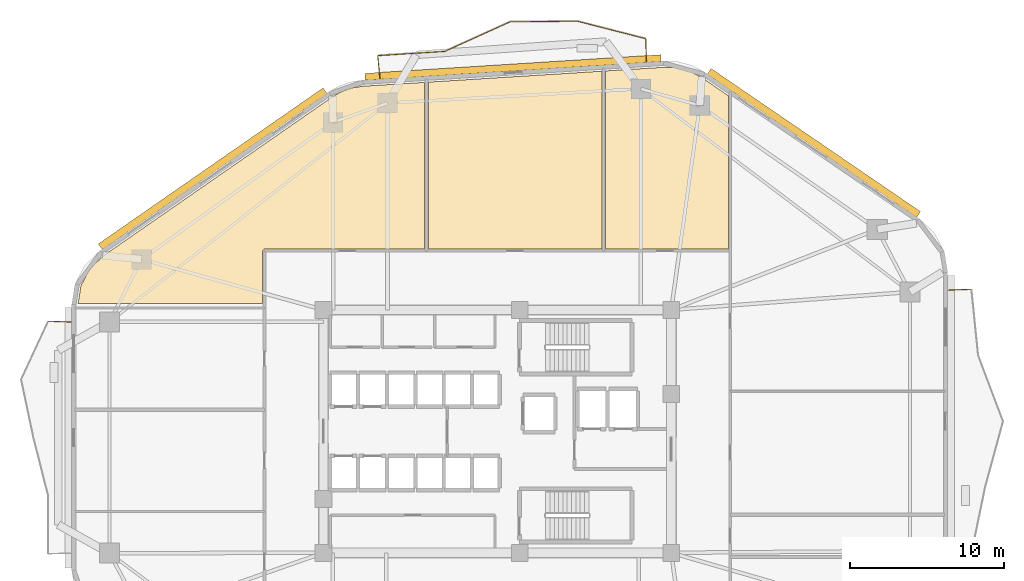
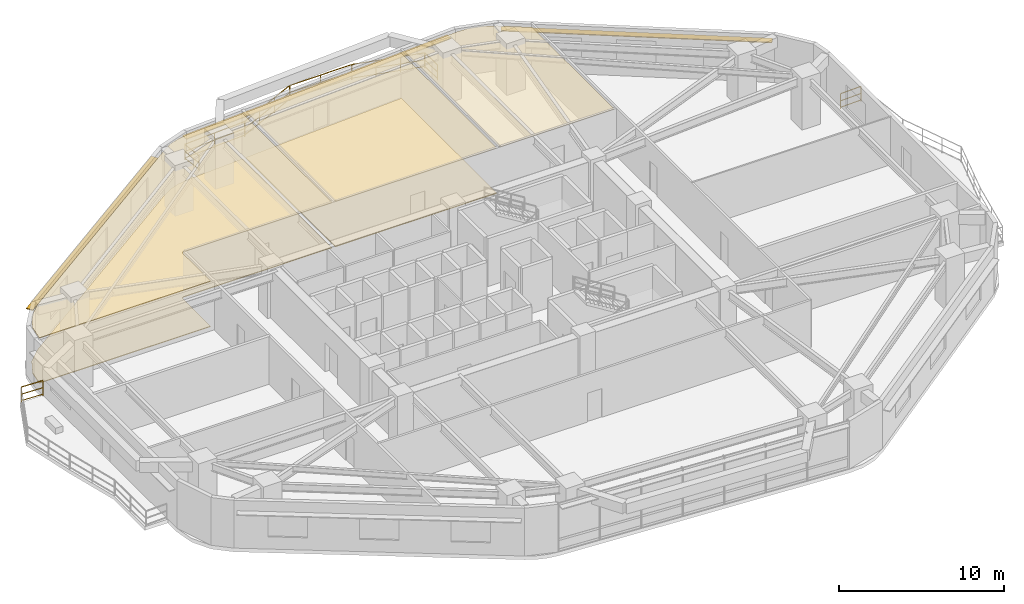
# One storey, part 13 of 13: 8 railings, 5 coverings, 3 shading devices.
"""IFC4 building model written with IfcOpenShell, lengths in metres."""

from ifc_helpers import new_model, si_unit, direction, frame, origin, origin_2d, place, context, subcontext, project, spatial, polyline, rectangle, outline, extrude, material, layer, layer_set, type_object, element, save


model = new_model("IFC4")

# Units and contexts
model_context = context("Model", 3, precision=1e-05, world=origin(), true_north=direction((0.0, 1.0)))
body_context = subcontext(model_context, "Body", "Model", "MODEL_VIEW")
ifc_project = project(units=[si_unit("LENGTHUNIT", "METRE"), si_unit("AREAUNIT", "SQUARE_METRE"), si_unit("VOLUMEUNIT", "CUBIC_METRE"), si_unit("PLANEANGLEUNIT", "RADIAN"), si_unit("MASSUNIT", "GRAM", prefix="KILO")], contexts=[model_context])

# Site, building, storey
site_placement = place(None, origin())
site = spatial("IfcSite", under=ifc_project, at=site_placement, CompositionType="ELEMENT")
building_placement = place(site_placement, origin())
building = spatial("IfcBuilding", under=site, at=building_placement, Name="Zulverin Broadcast Headquarters", CompositionType="ELEMENT")
storey_placement = place(building_placement, frame((0.0, 0.0, 47.800048828125)))
storey = spatial("IfcBuildingStorey", under=building, at=storey_placement, Name="L11", CompositionType="ELEMENT", Elevation=47.800048828125)

# Coverings
ifc_material_1 = material(Name="Perforated pale-metal acoustic baffle ceiling", Category="aluminium")
ifc_layer_1 = layer(ifc_material_1, 0.0400390625, Name="Perforated pale-metal acoustic baffle ceiling", Category="aluminium")
ifc_layer_set_1 = layer_set([ifc_layer_1], Name="Perforated pale-metal acoustic baffle ceiling")
covering_type_1 = type_object("IfcCoveringType", Name="COV-CEIL-ACOU", PredefinedType="CEILING", material=ifc_layer_set_1)
covering_1_placement = place(storey_placement, frame((0.0, 0.0, 3.344970703125)))
element("IfcCovering", 1, at=covering_1_placement, inside=storey, type_object=covering_type_1, Name="L11 Acoustic Baffle Ceiling 01", PredefinedType="CEILING", context=body_context, shape_type="SweptSolid", body=[
    extrude(outline(polyline([(11.4599609375, 36.587890625), (10.56005859375, 35.719970703125), (10.0, 34.64404296875), (9.81591796875, 33.5), (21.780029296875, 33.5), (21.780029296875, 36.867919921875), (21.780029296875, 36.8798828125), (21.783935546875, 36.89208984375), (21.783935546875, 36.89990234375), (21.7880859375, 36.912109375), (21.7919921875, 36.919921875), (21.7958984375, 36.927978515625), (21.800048828125, 36.93603515625), (21.80810546875, 36.947998046875), (21.81591796875, 36.9599609375), (21.823974609375, 36.968017578125), (21.83203125, 36.97607421875), (21.840087890625, 36.98388671875), (21.85205078125, 36.991943359375), (21.864013671875, 37.0), (21.8798828125, 37.008056640625), (21.887939453125, 37.011962890625), (21.89990234375, 37.01611328125), (21.907958984375, 37.01611328125), (21.919921875, 37.02001953125), (21.931884765625, 37.02001953125), (32.280029296875, 37.02001953125), (32.280029296875, 47.827880859375), (28.27587890625, 47.575927734375), (27.580078125, 47.468017578125), (26.927978515625, 47.243896484375), (26.31591796875, 46.89599609375), (11.4599609375, 36.587890625)])), origin(), (0.0, 0.0, 1.0), 0.0400390625),
])
covering_2_placement = place(storey_placement, frame((0.0, 0.0, 3.344970703125)))
element("IfcCovering", 2, at=covering_2_placement, inside=storey, type_object=covering_type_1, Name="L11 Acoustic Baffle Ceiling 02", PredefinedType="CEILING", context=body_context, shape_type="SweptSolid", body=[
    extrude(outline(polyline([(43.780029296875, 37.02001953125), (43.780029296875, 48.552001953125), (32.52001953125, 47.843994140625), (32.52001953125, 37.02001953125), (43.780029296875, 37.02001953125)])), origin(), (0.0, 0.0, 1.0), 0.0400390625),
])
covering_3_placement = place(storey_placement, frame((0.0, 0.0, 3.344970703125)))
element("IfcCovering", 3, at=covering_3_placement, inside=storey, type_object=covering_type_1, Name="L11 Acoustic Baffle Ceiling 03", PredefinedType="CEILING", context=body_context, shape_type="SweptSolid", body=[
    extrude(outline(polyline([(51.97998046875, 37.02001953125), (51.97998046875, 46.9599609375), (50.248046875, 48.139892578125), (49.491943359375, 48.548095703125), (48.68408203125, 48.76806640625), (47.823974609375, 48.80810546875), (44.02001953125, 48.568115234375), (44.02001953125, 37.02001953125), (51.97998046875, 37.02001953125)])), origin(), (0.0, 0.0, 1.0), 0.0400390625),
])
ifc_material_2 = material(Name="Anti-static broadcast raised access flooring", Category="stone")
ifc_layer_2 = layer(ifc_material_2, 0.050048828125, Name="Anti-static broadcast raised access flooring", Category="stone")
ifc_layer_set_2 = layer_set([ifc_layer_2], Name="Anti-static broadcast raised access flooring")
covering_type_2 = type_object("IfcCoveringType", Name="COV-FLR-RAISED", PredefinedType="FLOORING", material=ifc_layer_set_2)
covering_4_placement = place(storey_placement, origin())
element("IfcCovering", 4, at=covering_4_placement, inside=storey, type_object=covering_type_2, Name="L11 Broadcast Raised Access Flooring 01", PredefinedType="FLOORING", context=body_context, shape_type="SweptSolid", body=[
    extrude(outline(polyline([(11.4599609375, 36.587890625), (10.56005859375, 35.719970703125), (10.0, 34.64404296875), (9.81591796875, 33.5), (21.780029296875, 33.5), (21.780029296875, 36.867919921875), (21.780029296875, 36.8798828125), (21.783935546875, 36.89208984375), (21.783935546875, 36.89990234375), (21.7880859375, 36.912109375), (21.7919921875, 36.919921875), (21.7958984375, 36.927978515625), (21.800048828125, 36.93603515625), (21.80810546875, 36.947998046875), (21.81591796875, 36.9599609375), (21.823974609375, 36.968017578125), (21.83203125, 36.97607421875), (21.840087890625, 36.98388671875), (21.85205078125, 36.991943359375), (21.864013671875, 37.0), (21.8798828125, 37.008056640625), (21.887939453125, 37.011962890625), (21.89990234375, 37.01611328125), (21.907958984375, 37.01611328125), (21.919921875, 37.02001953125), (21.931884765625, 37.02001953125), (32.280029296875, 37.02001953125), (32.280029296875, 47.827880859375), (28.27587890625, 47.575927734375), (27.580078125, 47.468017578125), (26.927978515625, 47.243896484375), (26.31591796875, 46.89599609375), (11.4599609375, 36.587890625)])), origin(), (0.0, 0.0, 1.0), 0.050048828125),
])
covering_5_placement = place(storey_placement, origin())
element("IfcCovering", 5, at=covering_5_placement, inside=storey, type_object=covering_type_2, Name="L11 Broadcast Raised Access Flooring 02", PredefinedType="FLOORING", context=body_context, shape_type="SweptSolid", body=[
    extrude(outline(polyline([(43.780029296875, 37.02001953125), (43.780029296875, 48.552001953125), (32.52001953125, 47.843994140625), (32.52001953125, 37.02001953125), (43.780029296875, 37.02001953125)])), origin(), (0.0, 0.0, 1.0), 0.050048828125),
])

# Railings
ifc_material_3 = material(Name="Brushed stainless steel & laminated glass balustrade", Category="steel")
railing_type = type_object("IfcRailingType", Name="RL-GUARD-1150", PredefinedType="GUARDRAIL", material=ifc_material_3)
railing_1_placement = place(storey_placement, frame((67.705078125, 34.413818359375, 0.0)))
element("IfcRailing", 6, at=railing_1_placement, inside=storey, type_object=railing_type, Name="L11 Vertical-Forest Balcony Guardrail BAL_E Segment 06", PredefinedType="GUARDRAIL", context=body_context, shape_type="SweptSolid", body=[
    extrude(rectangle(XDim=0.048095703125, YDim=0.048095703125, at=origin_2d()), frame((0.0, 0.0, 1.1259765625), z_axis=(-0.999181155166, -0.040460093435, 0.0), x_axis=(0.040460093435, -0.999181155166, 0.0)), (0.0, 0.0, 1.0), 1.46630859375),
    extrude(rectangle(XDim=0.0419921875, YDim=0.0419921875, at=origin_2d()), frame((0.0, 0.0, 0.597900390625), z_axis=(-0.999181155166, -0.040460093435, 0.0), x_axis=(0.040460093435, -0.999181155166, 0.0)), (0.0, 0.0, 1.0), 1.46630859375),
    extrude(rectangle(XDim=0.0419921875, YDim=0.0419921875, at=origin_2d()), frame((0.0, 0.0, 0.1201171875), z_axis=(-0.999181155166, -0.040460093435, 0.0), x_axis=(0.040460093435, -0.999181155166, 0.0)), (0.0, 0.0, 1.0), 1.46630859375),
    extrude(rectangle(XDim=0.0419921875, YDim=0.0419921875, at=origin_2d()), origin(), (0.0, 0.0, 1.0), 1.101806640625),
    extrude(rectangle(XDim=0.0419921875, YDim=0.0419921875, at=origin_2d()), frame((-1.465087890625, -0.059326171875, 0.0)), (0.0, 0.0, 1.0), 1.101806640625),
])
railing_2_placement = place(storey_placement, frame((46.662841796875, 49.176025390625, 0.0)))
element("IfcRailing", 7, at=railing_2_placement, inside=storey, type_object=railing_type, Name="L11 Vertical-Forest Balcony Guardrail BAL_N Segment 01", PredefinedType="GUARDRAIL", context=body_context, shape_type="SweptSolid", body=[
    extrude(rectangle(XDim=0.048095703125, YDim=0.048095703125, at=origin_2d()), frame((0.0, 0.0, 1.1259765625), z_axis=(-0.022479328211, 0.999747307975, 0.0), x_axis=(-0.999747307975, -0.022479328211, 0.0)), (0.0, 0.0, 1.0), 1.46630859375),
    extrude(rectangle(XDim=0.0419921875, YDim=0.0419921875, at=origin_2d()), frame((0.0, 0.0, 0.597900390625), z_axis=(-0.022479328211, 0.999747307975, 0.0), x_axis=(-0.999747307975, -0.022479328211, 0.0)), (0.0, 0.0, 1.0), 1.46630859375),
    extrude(rectangle(XDim=0.0419921875, YDim=0.0419921875, at=origin_2d()), frame((0.0, 0.0, 0.1201171875), z_axis=(-0.022479328211, 0.999747307975, 0.0), x_axis=(-0.999747307975, -0.022479328211, 0.0)), (0.0, 0.0, 1.0), 1.46630859375),
    extrude(rectangle(XDim=0.0419921875, YDim=0.0419921875, at=origin_2d()), origin(), (0.0, 0.0, 1.0), 1.101806640625),
    extrude(rectangle(XDim=0.0419921875, YDim=0.0419921875, at=origin_2d()), frame((-0.032958984375, 1.4658203125, 0.0)), (0.0, 0.0, 1.0), 1.101806640625),
])
railing_3_placement = place(storey_placement, frame((46.614990234375, 50.66064453125, 0.0)))
element("IfcRailing", 8, at=railing_3_placement, inside=storey, type_object=railing_type, Name="L11 Vertical-Forest Balcony Guardrail BAL_N Segment 02", PredefinedType="GUARDRAIL", context=body_context, shape_type="SweptSolid", body=[
    extrude(rectangle(XDim=0.048095703125, YDim=0.048095703125, at=origin_2d()), frame((0.0, 0.0, 1.1259765625), z_axis=(-0.968834750969, 0.247707943583, 0.0), x_axis=(-0.247707943583, -0.968834750969, 0.0)), (0.0, 0.0, 1.0), 4.550537109375),
    extrude(rectangle(XDim=0.0419921875, YDim=0.0419921875, at=origin_2d()), frame((0.0, 0.0, 0.597900390625), z_axis=(-0.968834750969, 0.247707943583, 0.0), x_axis=(-0.247707943583, -0.968834750969, 0.0)), (0.0, 0.0, 1.0), 4.550537109375),
    extrude(rectangle(XDim=0.0419921875, YDim=0.0419921875, at=origin_2d()), frame((0.0, 0.0, 0.1201171875), z_axis=(-0.968834750969, 0.247707943583, 0.0), x_axis=(-0.247707943583, -0.968834750969, 0.0)), (0.0, 0.0, 1.0), 4.550537109375),
    extrude(rectangle(XDim=0.0419921875, YDim=0.0419921875, at=origin_2d()), origin(), (0.0, 0.0, 1.0), 1.101806640625),
    extrude(rectangle(XDim=0.0419921875, YDim=0.0419921875, at=origin_2d()), frame((-1.469482421875, 0.375732421875, 0.0)), (0.0, 0.0, 1.0), 1.101806640625),
    extrude(rectangle(XDim=0.0419921875, YDim=0.0419921875, at=origin_2d()), frame((-2.939208984375, 0.75146484375, 0.0)), (0.0, 0.0, 1.0), 1.101806640625),
    extrude(rectangle(XDim=0.0419921875, YDim=0.0419921875, at=origin_2d()), frame((-4.40869140625, 1.127197265625, 0.0)), (0.0, 0.0, 1.0), 1.101806640625),
])
railing_4_placement = place(storey_placement, frame((42.177001953125, 51.79150390625, 0.0)))
element("IfcRailing", 9, at=railing_4_placement, inside=storey, type_object=railing_type, Name="L11 Vertical-Forest Balcony Guardrail BAL_N Segment 03", PredefinedType="GUARDRAIL", context=body_context, shape_type="SweptSolid", body=[
    extrude(rectangle(XDim=0.048095703125, YDim=0.048095703125, at=origin_2d()), frame((0.0, 0.0, 1.1259765625), z_axis=(-0.999965244372, -0.00833726867, 0.0), x_axis=(0.00833726867, -0.999965244372, 0.0)), (0.0, 0.0, 1.0), 4.333984375),
    extrude(rectangle(XDim=0.0419921875, YDim=0.0419921875, at=origin_2d()), frame((0.0, 0.0, 0.597900390625), z_axis=(-0.999965244372, -0.00833726867, 0.0), x_axis=(0.00833726867, -0.999965244372, 0.0)), (0.0, 0.0, 1.0), 4.333984375),
    extrude(rectangle(XDim=0.0419921875, YDim=0.0419921875, at=origin_2d()), frame((0.0, 0.0, 0.1201171875), z_axis=(-0.999965244372, -0.00833726867, 0.0), x_axis=(0.00833726867, -0.999965244372, 0.0)), (0.0, 0.0, 1.0), 4.333984375),
    extrude(rectangle(XDim=0.0419921875, YDim=0.0419921875, at=origin_2d()), origin(), (0.0, 0.0, 1.0), 1.101806640625),
    extrude(rectangle(XDim=0.0419921875, YDim=0.0419921875, at=origin_2d()), frame((-2.1669921875, -0.01806640625, 0.0)), (0.0, 0.0, 1.0), 1.101806640625),
    extrude(rectangle(XDim=0.0419921875, YDim=0.0419921875, at=origin_2d()), frame((-4.333740234375, -0.0361328125, 0.0)), (0.0, 0.0, 1.0), 1.101806640625),
])
railing_5_placement = place(storey_placement, frame((37.814453125, 51.7490234375, 0.0)))
element("IfcRailing", 10, at=railing_5_placement, inside=storey, type_object=railing_type, Name="L11 Vertical-Forest Balcony Guardrail BAL_N Segment 04", PredefinedType="GUARDRAIL", context=body_context, shape_type="SweptSolid", body=[
    extrude(rectangle(XDim=0.048095703125, YDim=0.048095703125, at=origin_2d()), frame((0.0, 0.0, 1.1259765625), z_axis=(-0.911046141087, -0.412304412794, 0.0), x_axis=(0.412304412794, -0.911046141087, 0.0)), (0.0, 0.0, 1.0), 4.62939453125),
    extrude(rectangle(XDim=0.0419921875, YDim=0.0419921875, at=origin_2d()), frame((0.0, 0.0, 0.597900390625), z_axis=(-0.911046141087, -0.412304412794, 0.0), x_axis=(0.412304412794, -0.911046141087, 0.0)), (0.0, 0.0, 1.0), 4.62939453125),
    extrude(rectangle(XDim=0.0419921875, YDim=0.0419921875, at=origin_2d()), frame((0.0, 0.0, 0.1201171875), z_axis=(-0.911046141087, -0.412304412794, 0.0), x_axis=(0.412304412794, -0.911046141087, 0.0)), (0.0, 0.0, 1.0), 4.62939453125),
    extrude(rectangle(XDim=0.0419921875, YDim=0.0419921875, at=origin_2d()), origin(), (0.0, 0.0, 1.0), 1.101806640625),
    extrude(rectangle(XDim=0.0419921875, YDim=0.0419921875, at=origin_2d()), frame((-1.40576171875, -0.63623046875, 0.0)), (0.0, 0.0, 1.0), 1.101806640625),
    extrude(rectangle(XDim=0.0419921875, YDim=0.0419921875, at=origin_2d()), frame((-2.811767578125, -1.2724609375, 0.0)), (0.0, 0.0, 1.0), 1.101806640625),
    extrude(rectangle(XDim=0.0419921875, YDim=0.0419921875, at=origin_2d()), frame((-4.217529296875, -1.90869140625, 0.0)), (0.0, 0.0, 1.0), 1.101806640625),
])
railing_6_placement = place(storey_placement, frame((33.568359375, 49.833251953125, 0.0)))
element("IfcRailing", 11, at=railing_6_placement, inside=storey, type_object=railing_type, Name="L11 Vertical-Forest Balcony Guardrail BAL_N Segment 05", PredefinedType="GUARDRAIL", context=body_context, shape_type="SweptSolid", body=[
    extrude(rectangle(XDim=0.048095703125, YDim=0.048095703125, at=origin_2d()), frame((0.0, 0.0, 1.1259765625), z_axis=(-0.998015967654, -0.062961323906, 0.0), x_axis=(0.062961323906, -0.998015967654, 0.0)), (0.0, 0.0, 1.0), 4.327392578125),
    extrude(rectangle(XDim=0.0419921875, YDim=0.0419921875, at=origin_2d()), frame((0.0, 0.0, 0.597900390625), z_axis=(-0.998015967654, -0.062961323906, 0.0), x_axis=(0.062961323906, -0.998015967654, 0.0)), (0.0, 0.0, 1.0), 4.327392578125),
    extrude(rectangle(XDim=0.0419921875, YDim=0.0419921875, at=origin_2d()), frame((0.0, 0.0, 0.1201171875), z_axis=(-0.998015967654, -0.062961323906, 0.0), x_axis=(0.062961323906, -0.998015967654, 0.0)), (0.0, 0.0, 1.0), 4.327392578125),
    extrude(rectangle(XDim=0.0419921875, YDim=0.0419921875, at=origin_2d()), origin(), (0.0, 0.0, 1.0), 1.101806640625),
    extrude(rectangle(XDim=0.0419921875, YDim=0.0419921875, at=origin_2d()), frame((-2.159423828125, -0.13623046875, 0.0)), (0.0, 0.0, 1.0), 1.101806640625),
    extrude(rectangle(XDim=0.0419921875, YDim=0.0419921875, at=origin_2d()), frame((-4.31884765625, -0.2724609375, 0.0)), (0.0, 0.0, 1.0), 1.101806640625),
])
railing_7_placement = place(storey_placement, frame((29.236083984375, 49.545166015625, 0.0)))
element("IfcRailing", 12, at=railing_7_placement, inside=storey, type_object=railing_type, Name="L11 Vertical-Forest Balcony Guardrail BAL_N Segment 06", PredefinedType="GUARDRAIL", context=body_context, shape_type="SweptSolid", body=[
    extrude(rectangle(XDim=0.048095703125, YDim=0.048095703125, at=origin_2d()), frame((0.0, 0.0, 1.1259765625), z_axis=(0.103393334431, -0.994640547331, 0.0), x_axis=(0.994640547331, 0.103393334431, 0.0)), (0.0, 0.0, 1.0), 1.46630859375),
    extrude(rectangle(XDim=0.0419921875, YDim=0.0419921875, at=origin_2d()), frame((0.0, 0.0, 0.597900390625), z_axis=(0.103393334431, -0.994640547331, 0.0), x_axis=(0.994640547331, 0.103393334431, 0.0)), (0.0, 0.0, 1.0), 1.46630859375),
    extrude(rectangle(XDim=0.0419921875, YDim=0.0419921875, at=origin_2d()), frame((0.0, 0.0, 0.1201171875), z_axis=(0.103393334431, -0.994640547331, 0.0), x_axis=(0.994640547331, 0.103393334431, 0.0)), (0.0, 0.0, 1.0), 1.46630859375),
    extrude(rectangle(XDim=0.0419921875, YDim=0.0419921875, at=origin_2d()), origin(), (0.0, 0.0, 1.0), 1.101806640625),
    extrude(rectangle(XDim=0.0419921875, YDim=0.0419921875, at=origin_2d()), frame((0.151611328125, -1.45849609375, 0.0)), (0.0, 0.0, 1.0), 1.101806640625),
])
railing_8_placement = place(storey_placement, frame((9.360107421875, 32.284423828125, 0.0)))
element("IfcRailing", 13, at=railing_8_placement, inside=storey, type_object=railing_type, Name="L11 Vertical-Forest Balcony Guardrail BAL_W Segment 01", PredefinedType="GUARDRAIL", context=body_context, shape_type="SweptSolid", body=[
    extrude(rectangle(XDim=0.048095703125, YDim=0.048095703125, at=origin_2d()), frame((0.0, 0.0, 1.1259765625), z_axis=(-0.999181155166, 0.040460093435, 0.0), x_axis=(-0.040460093435, -0.999181155166, 0.0)), (0.0, 0.0, 1.0), 1.46630859375),
    extrude(rectangle(XDim=0.0419921875, YDim=0.0419921875, at=origin_2d()), frame((0.0, 0.0, 0.597900390625), z_axis=(-0.999181155166, 0.040460093435, 0.0), x_axis=(-0.040460093435, -0.999181155166, 0.0)), (0.0, 0.0, 1.0), 1.46630859375),
    extrude(rectangle(XDim=0.0419921875, YDim=0.0419921875, at=origin_2d()), frame((0.0, 0.0, 0.1201171875), z_axis=(-0.999181155166, 0.040460093435, 0.0), x_axis=(-0.040460093435, -0.999181155166, 0.0)), (0.0, 0.0, 1.0), 1.46630859375),
    extrude(rectangle(XDim=0.0419921875, YDim=0.0419921875, at=origin_2d()), origin(), (0.0, 0.0, 1.0), 1.101806640625),
    extrude(rectangle(XDim=0.0419921875, YDim=0.0419921875, at=origin_2d()), frame((-1.465087890625, 0.059326171875, 0.0)), (0.0, 0.0, 1.0), 1.101806640625),
])

# Shading devices
ifc_material_4 = material(Name="Anodized pale-metal aluminium sunshade", Category="aluminium")
ifc_layer_3 = layer(ifc_material_4, 0.06005859375, Name="Anodized pale-metal aluminium sunshade", Category="aluminium")
ifc_layer_set_3 = layer_set([ifc_layer_3], Name="Anodized pale-metal aluminium sunshade")
shading_device_type = type_object("IfcShadingDeviceType", Name="SS-01_PALE_METAL_ALUMINIUM_SUNSHADE", PredefinedType="USERDEFINED", material=ifc_layer_set_3)
shading_device_1_placement = place(storey_placement, frame((57.525390625, 43.8994140625, 2.7099609375), z_axis=(0.0, 0.0, 1.0), x_axis=(-0.825756855157, 0.564026254851, 0.0)))
element("IfcShadingDevice", 14, at=shading_device_1_placement, inside=storey, type_object=shading_device_type, Name="L11 Horizontal Pale-Metal Sunshade Band 4", ObjectType="SUNSHADE", PredefinedType="USERDEFINED", context=body_context, shape_type="SweptSolid", body=[
    extrude(rectangle(XDim=16.4482421875, YDim=0.449951171875, at=origin_2d()), origin(), (0.0, 0.0, 1.0), 0.06005859375),
])
shading_device_2_placement = place(storey_placement, frame((38.01513671875, 48.791015625, 2.7099609375), z_axis=(0.0, 0.0, 1.0), x_axis=(-0.998017621976, -0.062935095345, 0.0)))
element("IfcShadingDevice", 15, at=shading_device_2_placement, inside=storey, type_object=shading_device_type, Name="L11 Horizontal Pale-Metal Sunshade Band 5", ObjectType="SUNSHADE", PredefinedType="USERDEFINED", context=body_context, shape_type="SweptSolid", body=[
    extrude(rectangle(XDim=19.2294921875, YDim=0.449951171875, at=origin_2d()), origin(), (0.0, 0.0, 1.0), 0.06005859375),
])
shading_device_3_placement = place(storey_placement, frame((18.539794921875, 42.22802734375, 2.7099609375), z_axis=(0.0, 0.0, 1.0), x_axis=(-0.821556397865, -0.57012725345, 0.0)))
element("IfcShadingDevice", 16, at=shading_device_3_placement, inside=storey, type_object=shading_device_type, Name="L11 Horizontal Pale-Metal Sunshade Band 6", ObjectType="SUNSHADE", PredefinedType="USERDEFINED", context=body_context, shape_type="SweptSolid", body=[
    extrude(rectangle(XDim=17.732421875, YDim=0.449951171875, at=origin_2d()), origin(), (0.0, 0.0, 1.0), 0.06005859375),
])

save(model, "model.ifc")
